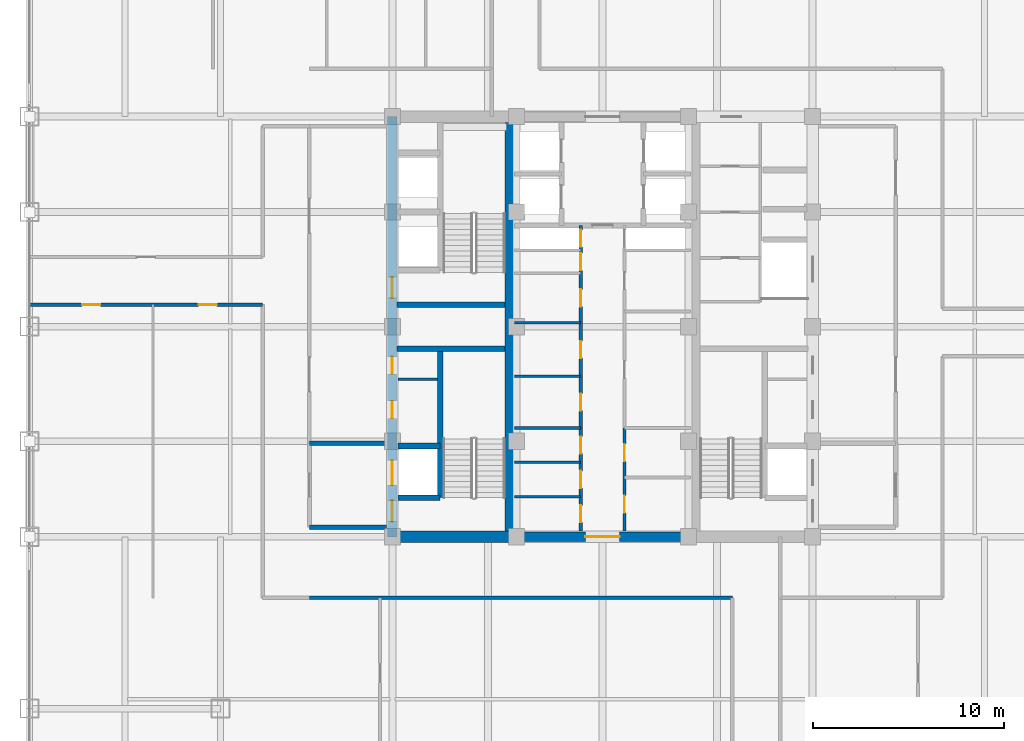
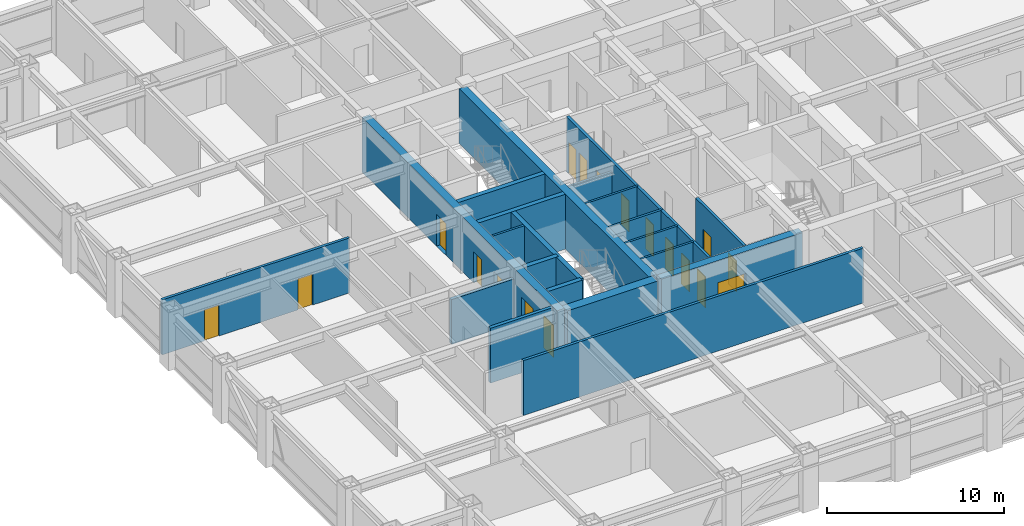
# One storey, part 20 of 29: 22 walls, 18 doors, 18 openings.
"""IFC4 building model written with IfcOpenShell, lengths in metres."""

from ifc_helpers import new_model, si_unit, direction, frame, frame_2d, origin, place, context, subcontext, project, spatial, rectangle, extrude, source, transform, mapped, material, layer, layer_set, type_object, element, fill, save


model = new_model("IFC4")

# Units and contexts
model_context = context("Model", 3, precision=1e-05, world=origin(), true_north=direction((0.0, 1.0)))
body_context = subcontext(model_context, "Body", "Model", "MODEL_VIEW")
ifc_project = project(units=[si_unit("LENGTHUNIT", "METRE"), si_unit("AREAUNIT", "SQUARE_METRE"), si_unit("VOLUMEUNIT", "CUBIC_METRE"), si_unit("PLANEANGLEUNIT", "RADIAN"), si_unit("MASSUNIT", "GRAM", prefix="KILO")], contexts=[model_context])

# Site, building, storey
site_placement = place(None, origin())
site = spatial("IfcSite", under=ifc_project, at=site_placement, CompositionType="ELEMENT")
building_placement = place(site_placement, origin())
building = spatial("IfcBuilding", under=site, at=building_placement, Name="Khorayat Bourse Tower", CompositionType="ELEMENT")
storey_placement = place(building_placement, frame((0.0, 0.0, 243.10009765625)))
storey = spatial("IfcBuildingStorey", under=building, at=storey_placement, Name="L57", CompositionType="ELEMENT", Elevation=243.10009765625)

# Wall
ifc_material_1 = material(Name="Concrete C52/65", Category="concrete")
ifc_layer_1 = layer(ifc_material_1, 0.5)
ifc_layer_set_1 = layer_set([ifc_layer_1], Name="Concrete C52/65")
wall_type_1 = type_object("IfcWallType", Name="WAL-CORE-500", PredefinedType="SHEAR", material=ifc_layer_set_1)
shared_shape_1 = source(origin(), body_context, "Body", "SweptSolid", [
    extrude(rectangle(XDim=21.39990234375, YDim=0.5, at=frame_2d((10.699951171875, 0.0))), origin(), (0.0, 0.0, 1.0), 3.77978515625),
])
wall_1_placement = place(storey_placement, frame((-4.85009765625, -10.699951171875, 0.0), z_axis=(0.0, 0.0, 1.0), x_axis=(0.0, 1.0, 0.0)))
element("IfcWall", 1, at=wall_1_placement, inside=storey, type_object=wall_type_1, Name="L57 Core Shear Wall PIER-W", PredefinedType="SHEAR", context=body_context, shape_type="MappedRepresentation", body=[
    mapped(shared_shape_1, transform((0.0, 0.0, 0.0), scale=1.0)),
])

# Wall, opening, door
shared_shape_2 = source(origin(), body_context, "Body", "SweptSolid", [
    extrude(rectangle(XDim=9.2001953125, YDim=0.5, at=frame_2d((4.60009765625, 0.0))), origin(), (0.0, 0.0, 1.0), 3.77978515625),
])
wall_2_placement = place(storey_placement, frame((-4.60009765625, -11.0, 0.0), z_axis=(0.0, 0.0, 1.0), x_axis=(1.0, 0.0, 0.0)))
wall_2 = element("IfcWall", 2, at=wall_2_placement, inside=storey, type_object=wall_type_1, Name="L57 Core Shear Wall CORE-S", PredefinedType="SHEAR", context=body_context, shape_type="MappedRepresentation", body=[
    mapped(shared_shape_2, transform((0.0, 0.0, 0.0), scale=1.0)),
])
shared_shape_3 = source(origin(), body_context, "Body", "SweptSolid", [
    extrude(rectangle(XDim=1.800048828125, YDim=2.25, at=frame_2d((0.89990234375, 1.125))), frame((0.0, 0.260009765625, 0.0), z_axis=(0.0, -1.0, 0.0), x_axis=(1.0, 0.0, 0.0)), (0.0, 0.0, 1.0), 0.52001953125),
])
opening_1_placement = place(wall_2_placement, frame((3.699951171875, 0.0, 0.0)))
opening_1 = element("IfcOpeningElement", 3, at=opening_1_placement, cuts=wall_2, Name="Opening DI-03", PredefinedType="OPENING", context=body_context, shape_type="MappedRepresentation", body=[
    mapped(shared_shape_3, transform((0.0, 0.0, 0.0), scale=1.0)),
])
ifc_material_2 = material(Name="Fire-rated hardwood vision-panel double leaf", Category="wood")
door_type_1 = type_object("IfcDoorType", Name="DR-INT-CORR-1800", OperationType="NOTDEFINED", PredefinedType="DOOR", material=ifc_material_2)
shared_shape_4 = source(origin(), body_context, "Body", "SweptSolid", [
    extrude(rectangle(XDim=1.800048828125, YDim=2.25, at=frame_2d((0.89990234375, 1.125))), frame((0.0, 0.02490234375, 0.0), z_axis=(0.0, -1.0, 0.0), x_axis=(1.0, 0.0, 0.0)), (0.0, 0.0, 1.0), 0.050048828125),
])
door_1_placement = place(opening_1_placement, origin())
door_1 = element("IfcDoor", 4, at=door_1_placement, inside=storey, type_object=door_type_1, Name="L57 Central Core South Passage Door", OperationType="SINGLE_SWING_LEFT", OverallHeight=2.25, OverallWidth=1.800048828125, PredefinedType="DOOR", context=body_context, shape_type="MappedRepresentation", body=[
    mapped(shared_shape_4, transform((0.0, 0.0, 0.0), scale=1.0)),
])
fill(opening_1, door_1)

# Wall, openings, doors
shared_shape_5 = source(origin(), body_context, "Body", "SweptSolid", [
    extrude(rectangle(XDim=22.0, YDim=0.5, at=frame_2d((11.0, 0.0))), origin(), (0.0, 0.0, 1.0), 3.77978515625),
])
wall_3_placement = place(storey_placement, frame((-11.0, -11.0, 0.0), z_axis=(0.0, 0.0, 1.0), x_axis=(0.0, 1.0, 0.0)))
wall_3 = element("IfcWall", 5, at=wall_3_placement, inside=storey, type_object=wall_type_1, Name="L57 Core Shear Wall CORE-W", PredefinedType="SHEAR", context=body_context, shape_type="MappedRepresentation", body=[
    mapped(shared_shape_5, transform((0.0, 0.0, 0.0), scale=1.0)),
])
shared_shape_6 = source(origin(), body_context, "Body", "SweptSolid", [
    extrude(rectangle(XDim=1.10009765625, YDim=2.199951171875, at=frame_2d((0.550048828125, 1.10009765625))), frame((0.0, 0.260009765625, 0.0), z_axis=(0.0, -1.0, 0.0), x_axis=(1.0, 0.0, 0.0)), (0.0, 0.0, 1.0), 0.52001953125),
])
opening_2_placement = place(wall_3_placement, frame((0.800048828125, 0.0, 0.0)))
opening_2 = element("IfcOpeningElement", 6, at=opening_2_placement, cuts=wall_3, Name="Opening DI-01", PredefinedType="OPENING", context=body_context, shape_type="MappedRepresentation", body=[
    mapped(shared_shape_6, transform((0.0, 0.0, 0.0), scale=1.0)),
])
opening_3_placement = place(wall_3_placement, frame((12.5, 0.0, 0.0)))
opening_3 = element("IfcOpeningElement", 7, at=opening_3_placement, cuts=wall_3, Name="Opening DI-01", PredefinedType="OPENING", context=body_context, shape_type="MappedRepresentation", body=[
    mapped(shared_shape_6, transform((0.0, 0.0, 0.0), scale=1.0)),
])
shared_shape_7 = source(origin(), body_context, "Body", "SweptSolid", [
    extrude(rectangle(XDim=0.89990234375, YDim=2.14990234375, at=frame_2d((0.449951171875, 1.074951171875))), frame((0.0, 0.260009765625, 0.0), z_axis=(0.0, -1.0, 0.0), x_axis=(1.0, 0.0, 0.0)), (0.0, 0.0, 1.0), 0.52001953125),
])
opening_4_placement = place(wall_3_placement, frame((6.199951171875, 0.0, 0.0)))
opening_4 = element("IfcOpeningElement", 8, at=opening_4_placement, cuts=wall_3, Name="Opening DI-06", PredefinedType="OPENING", context=body_context, shape_type="MappedRepresentation", body=[
    mapped(shared_shape_7, transform((0.0, 0.0, 0.0), scale=1.0)),
])
opening_5_placement = place(wall_3_placement, frame((8.52490234375, 0.0, 0.0)))
opening_5 = element("IfcOpeningElement", 9, at=opening_5_placement, cuts=wall_3, Name="Opening DI-06", PredefinedType="OPENING", context=body_context, shape_type="MappedRepresentation", body=[
    mapped(shared_shape_7, transform((0.0, 0.0, 0.0), scale=1.0)),
])
shared_shape_8 = source(origin(), body_context, "Body", "SweptSolid", [
    extrude(rectangle(XDim=1.300048828125, YDim=2.300048828125, at=frame_2d((0.64990234375, 1.14990234375))), frame((0.0, 0.260009765625, 0.0), z_axis=(0.0, -1.0, 0.0), x_axis=(1.0, 0.0, 0.0)), (0.0, 0.0, 1.0), 0.52001953125),
])
opening_6_placement = place(wall_3_placement, frame((2.699951171875, 0.0, 0.0)))
opening_6 = element("IfcOpeningElement", 10, at=opening_6_placement, cuts=wall_3, Name="Opening LD-02", PredefinedType="OPENING", context=body_context, shape_type="MappedRepresentation", body=[
    mapped(shared_shape_8, transform((0.0, 0.0, 0.0), scale=1.0)),
])
ifc_material_3 = material(Name="Fire-rated steel acoustic leaf", Category="steel")
door_type_2 = type_object("IfcDoorType", Name="DR-INT-STAIR-1100", OperationType="NOTDEFINED", PredefinedType="DOOR", material=ifc_material_3)
shared_shape_9 = source(origin(), body_context, "Body", "SweptSolid", [
    extrude(rectangle(XDim=1.10009765625, YDim=2.199951171875, at=frame_2d((0.550048828125, 1.10009765625))), frame((0.0, 0.02490234375, 0.0), z_axis=(0.0, -1.0, 0.0), x_axis=(1.0, 0.0, 0.0)), (0.0, 0.0, 1.0), 0.050048828125),
])
door_2_placement = place(opening_2_placement, origin())
door_2 = element("IfcDoor", 11, at=door_2_placement, inside=storey, type_object=door_type_2, Name="L57 Exit Stair 1 Door", OperationType="SINGLE_SWING_RIGHT", OverallHeight=2.199951171875, OverallWidth=1.10009765625, PredefinedType="DOOR", context=body_context, shape_type="MappedRepresentation", body=[
    mapped(shared_shape_9, transform((0.0, 0.0, 0.0), scale=1.0)),
])
fill(opening_2, door_2)
door_3_placement = place(opening_3_placement, origin())
door_3 = element("IfcDoor", 12, at=door_3_placement, inside=storey, type_object=door_type_2, Name="L57 Exit Stair 2 Door", OperationType="SINGLE_SWING_RIGHT", OverallHeight=2.199951171875, OverallWidth=1.10009765625, PredefinedType="DOOR", context=body_context, shape_type="MappedRepresentation", body=[
    mapped(shared_shape_9, transform((0.0, 0.0, 0.0), scale=1.0)),
])
fill(opening_3, door_3)
ifc_material_4 = material(Name="Moisture-resistant laminate washroom door")
door_type_3 = type_object("IfcDoorType", Name="DR-INT-WC-900", OperationType="NOTDEFINED", PredefinedType="DOOR", material=ifc_material_4)
shared_shape_10 = source(origin(), body_context, "Body", "SweptSolid", [
    extrude(rectangle(XDim=0.89990234375, YDim=2.14990234375, at=frame_2d((0.449951171875, 1.074951171875))), frame((0.0, 0.02490234375, 0.0), z_axis=(0.0, -1.0, 0.0), x_axis=(1.0, 0.0, 0.0)), (0.0, 0.0, 1.0), 0.050048828125),
])
door_4_placement = place(opening_4_placement, origin())
door_4 = element("IfcDoor", 13, at=door_4_placement, inside=storey, type_object=door_type_3, Name="L57 Switch Closet Door", OperationType="SINGLE_SWING_RIGHT", OverallHeight=2.14990234375, OverallWidth=0.89990234375, PredefinedType="DOOR", context=body_context, shape_type="MappedRepresentation", body=[
    mapped(shared_shape_10, transform((0.0, 0.0, 0.0), scale=1.0)),
])
fill(opening_4, door_4)
door_5_placement = place(opening_5_placement, origin())
door_5 = element("IfcDoor", 14, at=door_5_placement, inside=storey, type_object=door_type_3, Name="L57 Janitor Store Door", OperationType="SINGLE_SWING_LEFT", OverallHeight=2.14990234375, OverallWidth=0.89990234375, PredefinedType="DOOR", context=body_context, shape_type="MappedRepresentation", body=[
    mapped(shared_shape_10, transform((0.0, 0.0, 0.0), scale=1.0)),
])
fill(opening_5, door_5)
ifc_material_5 = material(Name="Fire-rated stainless-steel sliding landing door", Category="steel")
door_type_4 = type_object("IfcDoorType", Name="DR-LIFT-FF-1300", OperationType="NOTDEFINED", PredefinedType="DOOR", material=ifc_material_5)
shared_shape_11 = source(origin(), body_context, "Body", "SweptSolid", [
    extrude(rectangle(XDim=1.300048828125, YDim=2.300048828125, at=frame_2d((0.64990234375, 1.14990234375))), frame((0.0, 0.02490234375, 0.0), z_axis=(0.0, -1.0, 0.0), x_axis=(1.0, 0.0, 0.0)), (0.0, 0.0, 1.0), 0.050048828125),
])
door_6_placement = place(opening_6_placement, origin())
door_6 = element("IfcDoor", 15, at=door_6_placement, inside=storey, type_object=door_type_4, Name="L57 Lift FFL-01 Sliding Landing Door", OperationType="SLIDING_TO_LEFT", OverallHeight=2.300048828125, OverallWidth=1.300048828125, PredefinedType="DOOR", context=body_context, shape_type="MappedRepresentation", body=[
    mapped(shared_shape_11, transform((0.0, 0.0, 0.0), scale=1.0)),
])
fill(opening_6, door_6)

# Walls
ifc_material_6 = material(Name="Concrete C60/75", Category="concrete")
ifc_layer_2 = layer(ifc_material_6, 0.60009765625)
ifc_layer_set_2 = layer_set([ifc_layer_2], Name="Concrete C60/75")
wall_type_2 = type_object("IfcWallType", Name="WAL-CORE-600", PredefinedType="SHEAR", material=ifc_layer_set_2)
shared_shape_12 = source(origin(), body_context, "Body", "SweptSolid", [
    extrude(rectangle(XDim=5.89990234375, YDim=0.60009765625, at=frame_2d((2.949951171875, 0.0))), origin(), (0.0, 0.0, 1.0), 3.77978515625),
])
wall_4_placement = place(storey_placement, frame((-10.75, -11.0, 0.0), z_axis=(0.0, 0.0, 1.0), x_axis=(1.0, 0.0, 0.0)))
element("IfcWall", 16, at=wall_4_placement, inside=storey, type_object=wall_type_2, Name="L57 Core Shear Wall PIER-WS", PredefinedType="SHEAR", context=body_context, shape_type="MappedRepresentation", body=[
    mapped(shared_shape_12, transform((0.0, 0.0, 0.0), scale=1.0)),
])
ifc_material_7 = material(Name="Concrete C50/60", Category="concrete")
ifc_layer_3 = layer(ifc_material_7, 0.300048828125)
ifc_layer_set_3 = layer_set([ifc_layer_3], Name="Concrete C50/60")
wall_type_3 = type_object("IfcWallType", Name="WAL-SHAFT-300", PredefinedType="SHEAR", material=ifc_layer_set_3)
shared_shape_13 = source(origin(), body_context, "Body", "SweptSolid", [
    extrude(rectangle(XDim=5.64990234375, YDim=0.300048828125, at=frame_2d((2.824951171875, 0.0))), origin(), (0.0, 0.0, 1.0), 3.77978515625),
])
for number, where, z_axis, x_axis, name in (
    (17, (-10.75, -1.14990234375, 0.0), (0.0, 0.0, 1.0), (1.0, 0.0, 0.0), "L57 Core Shear Wall ST1-DIV"),
    (18, (-10.75, 1.14990234375, 0.0), (0.0, 0.0, 1.0), (1.0, 0.0, 0.0), "L57 Core Shear Wall ST2-DIV"),
):
    element("IfcWall", number, at=place(storey_placement, frame(where, z_axis=z_axis, x_axis=x_axis)), inside=storey, type_object=wall_type_3, Name=name, PredefinedType="SHEAR", context=body_context, shape_type="MappedRepresentation", body=[
        mapped(shared_shape_13, transform((0.0, 0.0, 0.0), scale=1.0)),
    ])
ifc_material_8 = material(Name="Aerated concrete blockwork", Category="masonry")
ifc_layer_4 = layer(ifc_material_8, 0.219970703125)
ifc_layer_set_4 = layer_set([ifc_layer_4], Name="Aerated concrete blockwork")
wall_type_4 = type_object("IfcWallType", Name="WAL-PART-FF-220", PredefinedType="PARTITIONING", material=ifc_layer_set_4)
shared_shape_14 = source(origin(), body_context, "Body", "SweptSolid", [
    extrude(rectangle(XDim=4.050048828125, YDim=0.219970703125, at=frame_2d((2.02490234375, 0.0))), origin(), (0.0, 0.0, 1.0), 3.0849609375),
])
wall_5_placement = place(storey_placement, frame((-15.35009765625, -6.10009765625, 0.0), z_axis=(0.0, 0.0, 1.0), x_axis=(1.0, 0.0, 0.0)))
element("IfcWall", 19, at=wall_5_placement, inside=storey, type_object=wall_type_4, Name="L57 Partition WAL-L57-FFLW-N", PredefinedType="PARTITIONING", context=body_context, shape_type="MappedRepresentation", body=[
    mapped(shared_shape_14, transform((0.0, 0.0, 0.0), scale=1.0)),
])
shared_shape_15 = source(origin(), body_context, "Body", "SweptSolid", [
    extrude(rectangle(XDim=7.800048828125, YDim=0.300048828125, at=frame_2d((3.89990234375, 0.0))), origin(), (0.0, 0.0, 1.0), 3.77978515625),
])
wall_6_placement = place(storey_placement, frame((-8.5, -8.949951171875, 0.0), z_axis=(0.0, 0.0, 1.0), x_axis=(0.0, 1.0, 0.0)))
element("IfcWall", 20, at=wall_6_placement, inside=storey, type_object=wall_type_3, Name="L57 Partition WAL-L57-WPIER-SP", PredefinedType="SHEAR", context=body_context, shape_type="MappedRepresentation", body=[
    mapped(shared_shape_15, transform((0.0, 0.0, 0.0), scale=1.0)),
])
shared_shape_16 = source(origin(), body_context, "Body", "SweptSolid", [
    extrude(rectangle(XDim=2.199951171875, YDim=0.300048828125, at=frame_2d((1.10009765625, 0.0))), origin(), (0.0, 0.0, 1.0), 3.77978515625),
])
for number, where, z_axis, x_axis, name in (
    (21, (-10.699951171875, -8.949951171875, 0.0), (0.0, 0.0, 1.0), (1.0, 0.0, 0.0), "L57 Partition WAL-L57-WPIER-FF1S"),
    (22, (-10.699951171875, -6.25, 0.0), (0.0, 0.0, 1.0), (1.0, 0.0, 0.0), "L57 Partition WAL-L57-WPIER-FF1N"),
):
    element("IfcWall", number, at=place(storey_placement, frame(where, z_axis=z_axis, x_axis=x_axis)), inside=storey, type_object=wall_type_3, Name=name, PredefinedType="SHEAR", context=body_context, shape_type="MappedRepresentation", body=[
        mapped(shared_shape_16, transform((0.0, 0.0, 0.0), scale=1.0)),
    ])
ifc_material_9 = material(Name="Gypsum plasterboard twin-frame partition")
ifc_layer_5 = layer(ifc_material_9, 0.14990234375)
ifc_layer_set_5 = layer_set([ifc_layer_5], Name="Gypsum plasterboard twin-frame partition")
wall_type_5 = type_object("IfcWallType", Name="WAL-PART-SUITE-150", PredefinedType="PARTITIONING", material=ifc_layer_set_5)
shared_shape_17 = source(origin(), body_context, "Body", "SweptSolid", [
    extrude(rectangle(XDim=2.050048828125, YDim=0.14990234375, at=frame_2d((1.02490234375, 0.0))), origin(), (0.0, 0.0, 1.0), 3.77978515625),
])
wall_7_placement = place(storey_placement, frame((-10.699951171875, -2.75, 0.0), z_axis=(0.0, 0.0, 1.0), x_axis=(1.0, 0.0, 0.0)))
element("IfcWall", 23, at=wall_7_placement, inside=storey, type_object=wall_type_5, Name="L57 Partition WAL-L57-WSRV-D1", PredefinedType="PARTITIONING", context=body_context, shape_type="MappedRepresentation", body=[
    mapped(shared_shape_17, transform((0.0, 0.0, 0.0), scale=1.0)),
])
shared_shape_18 = source(origin(), body_context, "Body", "SweptSolid", [
    extrude(rectangle(XDim=4.050048828125, YDim=0.219970703125, at=frame_2d((2.02490234375, 0.0))), origin(), (0.0, 0.0, 1.0), 3.77978515625),
])
wall_8_placement = place(storey_placement, frame((-15.35009765625, -10.5, 0.0), z_axis=(0.0, 0.0, 1.0), x_axis=(1.0, 0.0, 0.0)))
element("IfcWall", 24, at=wall_8_placement, inside=storey, type_object=wall_type_4, Name="L57 Partition WAL-L57-FFLW-S", PredefinedType="PARTITIONING", context=body_context, shape_type="MappedRepresentation", body=[
    mapped(shared_shape_18, transform((0.0, 0.0, 0.0), scale=1.0)),
])
shared_shape_19 = source(origin(), body_context, "Body", "SweptSolid", [
    extrude(rectangle(XDim=3.4501953125, YDim=0.14990234375, at=frame_2d((1.72509765625, 0.0))), origin(), (0.0, 0.0, 1.0), 3.77978515625),
])
wall_9_placement = place(storey_placement, frame((-4.60009765625, -5.300048828125, 0.0), z_axis=(0.0, 0.0, 1.0), x_axis=(1.0, 0.0, 0.0)))
element("IfcWall", 25, at=wall_9_placement, inside=storey, type_object=wall_type_5, Name="L57 Partition WAL-L57-FB1-NW", PredefinedType="PARTITIONING", context=body_context, shape_type="MappedRepresentation", body=[
    mapped(shared_shape_19, transform((0.0, 0.0, 0.0), scale=1.0)),
])
ifc_material_10 = material(Name="Moisture-resistant masonry partition", Category="masonry")
ifc_layer_6 = layer(ifc_material_10, 0.139892578125)
ifc_layer_set_6 = layer_set([ifc_layer_6], Name="Moisture-resistant masonry partition")
wall_type_6 = type_object("IfcWallType", Name="WAL-PART-WET-140", PredefinedType="PARTITIONING", material=ifc_layer_set_6)
shared_shape_20 = source(origin(), body_context, "Body", "SweptSolid", [
    extrude(rectangle(XDim=3.4501953125, YDim=0.139892578125, at=frame_2d((1.72509765625, 0.0))), origin(), (0.0, 0.0, 1.0), 3.77978515625),
])
for number, where, z_axis, x_axis, name in (
    (26, (-4.60009765625, -8.89990234375, 0.0), (0.0, 0.0, 1.0), (1.0, 0.0, 0.0), "L57 Partition WAL-L57-FB1W-D1"),
    (27, (-4.60009765625, -7.10009765625, 0.0), (0.0, 0.0, 1.0), (1.0, 0.0, 0.0), "L57 Partition WAL-L57-FB1W-D2"),
    (28, (-4.60009765625, -2.60009765625, 0.0), (0.0, 0.0, 1.0), (1.0, 0.0, 0.0), "L57 Partition WAL-L57-CMW-D1"),
):
    element("IfcWall", number, at=place(storey_placement, frame(where, z_axis=z_axis, x_axis=x_axis)), inside=storey, type_object=wall_type_6, Name=name, PredefinedType="PARTITIONING", context=body_context, shape_type="MappedRepresentation", body=[
        mapped(shared_shape_20, transform((0.0, 0.0, 0.0), scale=1.0)),
    ])

# Wall, openings, doors
ifc_material_11 = material(Name="Gypsum plasterboard acoustic stud wall")
ifc_layer_7 = layer(ifc_material_11, 0.179931640625)
ifc_layer_set_7 = layer_set([ifc_layer_7], Name="Gypsum plasterboard acoustic stud wall")
wall_type_7 = type_object("IfcWallType", Name="WAL-PART-CORR-180", PredefinedType="PARTITIONING", material=ifc_layer_set_7)
shared_shape_21 = source(origin(), body_context, "Body", "SweptSolid", [
    extrude(rectangle(XDim=5.39990234375, YDim=0.179931640625, at=frame_2d((2.699951171875, 0.0))), origin(), (0.0, 0.0, 1.0), 3.77978515625),
])
wall_10_placement = place(storey_placement, frame((-1.14990234375, -10.699951171875, 0.0), z_axis=(0.0, 0.0, 1.0), x_axis=(0.0, 1.0, 0.0)))
wall_10 = element("IfcWall", 29, at=wall_10_placement, inside=storey, type_object=wall_type_7, Name="L57 Partition WAL-L57-FB1W-L", PredefinedType="PARTITIONING", context=body_context, shape_type="MappedRepresentation", body=[
    mapped(shared_shape_21, transform((0.0, 0.0, 0.0), scale=1.0)),
])
shared_shape_22 = source(origin(), body_context, "Body", "SweptSolid", [
    extrude(rectangle(XDim=0.89990234375, YDim=2.14990234375, at=frame_2d((0.449951171875, 1.074951171875))), frame((0.0, 0.099853515625, 0.0), z_axis=(0.0, -1.0, 0.0), x_axis=(1.0, 0.0, 0.0)), (0.0, 0.0, 1.0), 0.199951171875),
])
opening_7_placement = place(wall_10_placement, frame((0.449951171875, 0.0, 0.0)))
opening_7 = element("IfcOpeningElement", 30, at=opening_7_placement, cuts=wall_10, Name="Opening DI-06", PredefinedType="OPENING", context=body_context, shape_type="MappedRepresentation", body=[
    mapped(shared_shape_22, transform((0.0, 0.0, 0.0), scale=1.0)),
])
opening_8_placement = place(wall_10_placement, frame((2.25, 0.0, 0.0)))
opening_8 = element("IfcOpeningElement", 31, at=opening_8_placement, cuts=wall_10, Name="Opening DI-06", PredefinedType="OPENING", context=body_context, shape_type="MappedRepresentation", body=[
    mapped(shared_shape_22, transform((0.0, 0.0, 0.0), scale=1.0)),
])
opening_9_placement = place(wall_10_placement, frame((4.050048828125, 0.0, 0.0)))
opening_9 = element("IfcOpeningElement", 32, at=opening_9_placement, cuts=wall_10, Name="Opening DI-06", PredefinedType="OPENING", context=body_context, shape_type="MappedRepresentation", body=[
    mapped(shared_shape_22, transform((0.0, 0.0, 0.0), scale=1.0)),
])
door_7_placement = place(opening_7_placement, origin())
door_7 = element("IfcDoor", 33, at=door_7_placement, inside=storey, type_object=door_type_3, Name="L57 Archive Store A Door", OperationType="SINGLE_SWING_RIGHT", OverallHeight=2.14990234375, OverallWidth=0.89990234375, PredefinedType="DOOR", context=body_context, shape_type="MappedRepresentation", body=[
    mapped(shared_shape_10, transform((0.0, 0.0, 0.0), scale=1.0)),
])
fill(opening_7, door_7)
door_8_placement = place(opening_8_placement, origin())
door_8 = element("IfcDoor", 34, at=door_8_placement, inside=storey, type_object=door_type_3, Name="L57 Patch Comms Room Door", OperationType="SINGLE_SWING_LEFT", OverallHeight=2.14990234375, OverallWidth=0.89990234375, PredefinedType="DOOR", context=body_context, shape_type="MappedRepresentation", body=[
    mapped(shared_shape_10, transform((0.0, 0.0, 0.0), scale=1.0)),
])
fill(opening_8, door_8)
door_9_placement = place(opening_9_placement, origin())
door_9 = element("IfcDoor", 35, at=door_9_placement, inside=storey, type_object=door_type_3, Name="L57 Archive Store B Door", OperationType="SINGLE_SWING_RIGHT", OverallHeight=2.14990234375, OverallWidth=0.89990234375, PredefinedType="DOOR", context=body_context, shape_type="MappedRepresentation", body=[
    mapped(shared_shape_10, transform((0.0, 0.0, 0.0), scale=1.0)),
])
fill(opening_9, door_9)

wall_11_placement = place(storey_placement, frame((1.14990234375, -10.699951171875, 0.0), z_axis=(0.0, 0.0, 1.0), x_axis=(0.0, 1.0, 0.0)))
wall_11 = element("IfcWall", 36, at=wall_11_placement, inside=storey, type_object=wall_type_7, Name="L57 Partition WAL-L57-FB1E-L", PredefinedType="PARTITIONING", context=body_context, shape_type="MappedRepresentation", body=[
    mapped(shared_shape_21, transform((0.0, 0.0, 0.0), scale=1.0)),
])
opening_10_placement = place(wall_11_placement, frame((0.949951171875, 0.0, 0.0)))
opening_10 = element("IfcOpeningElement", 37, at=opening_10_placement, cuts=wall_11, Name="Opening DI-06", PredefinedType="OPENING", context=body_context, shape_type="MappedRepresentation", body=[
    mapped(shared_shape_22, transform((0.0, 0.0, 0.0), scale=1.0)),
])
opening_11_placement = place(wall_11_placement, frame((3.64990234375, 0.0, 0.0)))
opening_11 = element("IfcOpeningElement", 38, at=opening_11_placement, cuts=wall_11, Name="Opening DI-06", PredefinedType="OPENING", context=body_context, shape_type="MappedRepresentation", body=[
    mapped(shared_shape_22, transform((0.0, 0.0, 0.0), scale=1.0)),
])
door_10_placement = place(opening_10_placement, origin())
door_10 = element("IfcDoor", 39, at=door_10_placement, inside=storey, type_object=door_type_3, Name="L57 UPS Switch Plant Room Door", OperationType="SINGLE_SWING_RIGHT", OverallHeight=2.14990234375, OverallWidth=0.89990234375, PredefinedType="DOOR", context=body_context, shape_type="MappedRepresentation", body=[
    mapped(shared_shape_10, transform((0.0, 0.0, 0.0), scale=1.0)),
])
fill(opening_10, door_10)
door_11_placement = place(opening_11_placement, origin())
door_11 = element("IfcDoor", 40, at=door_11_placement, inside=storey, type_object=door_type_3, Name="L57 Reprographics Store Door", OperationType="SINGLE_SWING_LEFT", OverallHeight=2.14990234375, OverallWidth=0.89990234375, PredefinedType="DOOR", context=body_context, shape_type="MappedRepresentation", body=[
    mapped(shared_shape_10, transform((0.0, 0.0, 0.0), scale=1.0)),
])
fill(opening_11, door_11)

# Wall
shared_shape_23 = source(origin(), body_context, "Body", "SweptSolid", [
    extrude(rectangle(XDim=3.4501953125, YDim=0.139892578125, at=frame_2d((1.72509765625, 0.0))), origin(), (0.0, 0.0, 1.0), 3.0849609375),
])
wall_12_placement = place(storey_placement, frame((-4.60009765625, 0.199951171875, 0.0), z_axis=(0.0, 0.0, 1.0), x_axis=(1.0, 0.0, 0.0)))
element("IfcWall", 41, at=wall_12_placement, inside=storey, type_object=wall_type_6, Name="L57 Partition WAL-L57-CMW-D2", PredefinedType="PARTITIONING", context=body_context, shape_type="MappedRepresentation", body=[
    mapped(shared_shape_23, transform((0.0, 0.0, 0.0), scale=1.0)),
])

# Wall, openings, doors
shared_shape_24 = source(origin(), body_context, "Body", "SweptSolid", [
    extrude(rectangle(XDim=10.60009765625, YDim=0.179931640625, at=frame_2d((5.300048828125, 0.0))), origin(), (0.0, 0.0, 1.0), 3.77978515625),
])
wall_13_placement = place(storey_placement, frame((-1.14990234375, -5.300048828125, 0.0), z_axis=(0.0, 0.0, 1.0), x_axis=(0.0, 1.0, 0.0)))
wall_13 = element("IfcWall", 42, at=wall_13_placement, inside=storey, type_object=wall_type_7, Name="L57 Partition WAL-L57-CMW-L", PredefinedType="PARTITIONING", context=body_context, shape_type="MappedRepresentation", body=[
    mapped(shared_shape_24, transform((0.0, 0.0, 0.0), scale=1.0)),
])
opening_12_placement = place(wall_13_placement, frame((0.89990234375, 0.0, 0.0)))
opening_12 = element("IfcOpeningElement", 43, at=opening_12_placement, cuts=wall_13, Name="Opening DI-06", PredefinedType="OPENING", context=body_context, shape_type="MappedRepresentation", body=[
    mapped(shared_shape_22, transform((0.0, 0.0, 0.0), scale=1.0)),
])
opening_13_placement = place(wall_13_placement, frame((3.64990234375, 0.0, 0.0)))
opening_13 = element("IfcOpeningElement", 44, at=opening_13_placement, cuts=wall_13, Name="Opening DI-06", PredefinedType="OPENING", context=body_context, shape_type="MappedRepresentation", body=[
    mapped(shared_shape_22, transform((0.0, 0.0, 0.0), scale=1.0)),
])
opening_14_placement = place(wall_13_placement, frame((6.35009765625, 0.0, 0.0)))
opening_14 = element("IfcOpeningElement", 45, at=opening_14_placement, cuts=wall_13, Name="Opening DI-06", PredefinedType="OPENING", context=body_context, shape_type="MappedRepresentation", body=[
    mapped(shared_shape_22, transform((0.0, 0.0, 0.0), scale=1.0)),
])
opening_15_placement = place(wall_13_placement, frame((8.25, 0.0, 0.0)))
opening_15 = element("IfcOpeningElement", 46, at=opening_15_placement, cuts=wall_13, Name="Opening DI-06", PredefinedType="OPENING", context=body_context, shape_type="MappedRepresentation", body=[
    mapped(shared_shape_22, transform((0.0, 0.0, 0.0), scale=1.0)),
])
opening_16_placement = place(wall_13_placement, frame((9.47509765625, 0.0, 0.0)))
opening_16 = element("IfcOpeningElement", 47, at=opening_16_placement, cuts=wall_13, Name="Opening DI-06", PredefinedType="OPENING", context=body_context, shape_type="MappedRepresentation", body=[
    mapped(shared_shape_22, transform((0.0, 0.0, 0.0), scale=1.0)),
])
door_12_placement = place(opening_12_placement, origin())
door_12 = element("IfcDoor", 48, at=door_12_placement, inside=storey, type_object=door_type_3, Name="L57 Cleaners Store Door", OperationType="SINGLE_SWING_RIGHT", OverallHeight=2.14990234375, OverallWidth=0.89990234375, PredefinedType="DOOR", context=body_context, shape_type="MappedRepresentation", body=[
    mapped(shared_shape_10, transform((0.0, 0.0, 0.0), scale=1.0)),
])
fill(opening_12, door_12)
door_13_placement = place(opening_13_placement, origin())
door_13 = element("IfcDoor", 49, at=door_13_placement, inside=storey, type_object=door_type_3, Name="L57 Male Core Washroom Door", OperationType="SINGLE_SWING_LEFT", OverallHeight=2.14990234375, OverallWidth=0.89990234375, PredefinedType="DOOR", context=body_context, shape_type="MappedRepresentation", body=[
    mapped(shared_shape_10, transform((0.0, 0.0, 0.0), scale=1.0)),
])
fill(opening_13, door_13)
door_14_placement = place(opening_14_placement, origin())
door_14 = element("IfcDoor", 50, at=door_14_placement, inside=storey, type_object=door_type_3, Name="L57 Electrical Closet Door", OperationType="SINGLE_SWING_RIGHT", OverallHeight=2.14990234375, OverallWidth=0.89990234375, PredefinedType="DOOR", context=body_context, shape_type="MappedRepresentation", body=[
    mapped(shared_shape_10, transform((0.0, 0.0, 0.0), scale=1.0)),
])
fill(opening_14, door_14)
door_15_placement = place(opening_15_placement, origin())
door_15 = element("IfcDoor", 51, at=door_15_placement, inside=storey, type_object=door_type_3, Name="L57 Archive Cupboard Door", OperationType="SINGLE_SWING_LEFT", OverallHeight=2.14990234375, OverallWidth=0.89990234375, PredefinedType="DOOR", context=body_context, shape_type="MappedRepresentation", body=[
    mapped(shared_shape_10, transform((0.0, 0.0, 0.0), scale=1.0)),
])
fill(opening_15, door_15)
door_16_placement = place(opening_16_placement, origin())
door_16 = element("IfcDoor", 52, at=door_16_placement, inside=storey, type_object=door_type_3, Name="L57 West Core Riser Door", OperationType="SINGLE_SWING_LEFT", OverallHeight=2.14990234375, OverallWidth=0.89990234375, PredefinedType="DOOR", context=body_context, shape_type="MappedRepresentation", body=[
    mapped(shared_shape_10, transform((0.0, 0.0, 0.0), scale=1.0)),
])
fill(opening_16, door_16)

shared_shape_25 = source(origin(), body_context, "Body", "SweptSolid", [
    extrude(rectangle(XDim=12.199951171875, YDim=0.179931640625, at=frame_2d((6.10009765625, 0.0))), origin(), (0.0, 0.0, 1.0), 3.77978515625),
])
wall_14_placement = place(storey_placement, frame((-30.0, 1.14990234375, 0.0), z_axis=(0.0, 0.0, 1.0), x_axis=(1.0, 0.0, 0.0)))
wall_14 = element("IfcWall", 53, at=wall_14_placement, inside=storey, type_object=wall_type_7, Name="L57 Partition WAL-L57-WS-SPK", PredefinedType="PARTITIONING", context=body_context, shape_type="MappedRepresentation", body=[
    mapped(shared_shape_25, transform((0.0, 0.0, 0.0), scale=1.0)),
])
shared_shape_26 = source(origin(), body_context, "Body", "SweptSolid", [
    extrude(rectangle(XDim=0.949951171875, YDim=2.14990234375, at=frame_2d((0.47509765625, 1.074951171875))), frame((0.0, 0.099853515625, 0.0), z_axis=(0.0, -1.0, 0.0), x_axis=(1.0, 0.0, 0.0)), (0.0, 0.0, 1.0), 0.199951171875),
])
opening_17_placement = place(wall_14_placement, frame((2.758056640625, 0.0, 0.0)))
opening_17 = element("IfcOpeningElement", 54, at=opening_17_placement, cuts=wall_14, Name="Opening DI-05", PredefinedType="OPENING", context=body_context, shape_type="MappedRepresentation", body=[
    mapped(shared_shape_26, transform((0.0, 0.0, 0.0), scale=1.0)),
])
opening_18_placement = place(wall_14_placement, frame((8.85791015625, 0.0, 0.0)))
opening_18 = element("IfcOpeningElement", 55, at=opening_18_placement, cuts=wall_14, Name="Opening DI-05", PredefinedType="OPENING", context=body_context, shape_type="MappedRepresentation", body=[
    mapped(shared_shape_26, transform((0.0, 0.0, 0.0), scale=1.0)),
])
ifc_material_12 = material(Name="Acoustic oak veneer office door")
door_type_5 = type_object("IfcDoorType", Name="DR-INT-OFFICE-950", OperationType="NOTDEFINED", PredefinedType="DOOR", material=ifc_material_12)
shared_shape_27 = source(origin(), body_context, "Body", "SweptSolid", [
    extrude(rectangle(XDim=0.949951171875, YDim=2.14990234375, at=frame_2d((0.47509765625, 1.074951171875))), frame((0.0, 0.02490234375, 0.0), z_axis=(0.0, -1.0, 0.0), x_axis=(1.0, 0.0, 0.0)), (0.0, 0.0, 1.0), 0.050048828125),
])
door_17_placement = place(opening_17_placement, origin())
door_17 = element("IfcDoor", 56, at=door_17_placement, inside=storey, type_object=door_type_5, Name="L57 Members Dining Room WSA Door", OperationType="SINGLE_SWING_LEFT", OverallHeight=2.14990234375, OverallWidth=0.949951171875, PredefinedType="DOOR", context=body_context, shape_type="MappedRepresentation", body=[
    mapped(shared_shape_27, transform((0.0, 0.0, 0.0), scale=1.0)),
])
fill(opening_17, door_17)
door_18_placement = place(opening_18_placement, origin())
door_18 = element("IfcDoor", 57, at=door_18_placement, inside=storey, type_object=door_type_5, Name="L57 Quantitative Research Study WSB Door", OperationType="SINGLE_SWING_RIGHT", OverallHeight=2.14990234375, OverallWidth=0.949951171875, PredefinedType="DOOR", context=body_context, shape_type="MappedRepresentation", body=[
    mapped(shared_shape_27, transform((0.0, 0.0, 0.0), scale=1.0)),
])
fill(opening_18, door_18)

# Wall
shared_shape_28 = source(origin(), body_context, "Body", "SweptSolid", [
    extrude(rectangle(XDim=22.150146484375, YDim=0.179931640625, at=frame_2d((11.0751953125, 0.0))), origin(), (0.0, 0.0, 1.0), 3.77978515625),
])
wall_15_placement = place(storey_placement, frame((-15.35009765625, -14.199951171875, 0.0), z_axis=(0.0, 0.0, 1.0), x_axis=(1.0, 0.0, 0.0)))
element("IfcWall", 58, at=wall_15_placement, inside=storey, type_object=wall_type_7, Name="L57 Partition WAL-L57-QSW-HC", PredefinedType="PARTITIONING", context=body_context, shape_type="MappedRepresentation", body=[
    mapped(shared_shape_28, transform((0.0, 0.0, 0.0), scale=1.0)),
])

save(model, "model.ifc")
